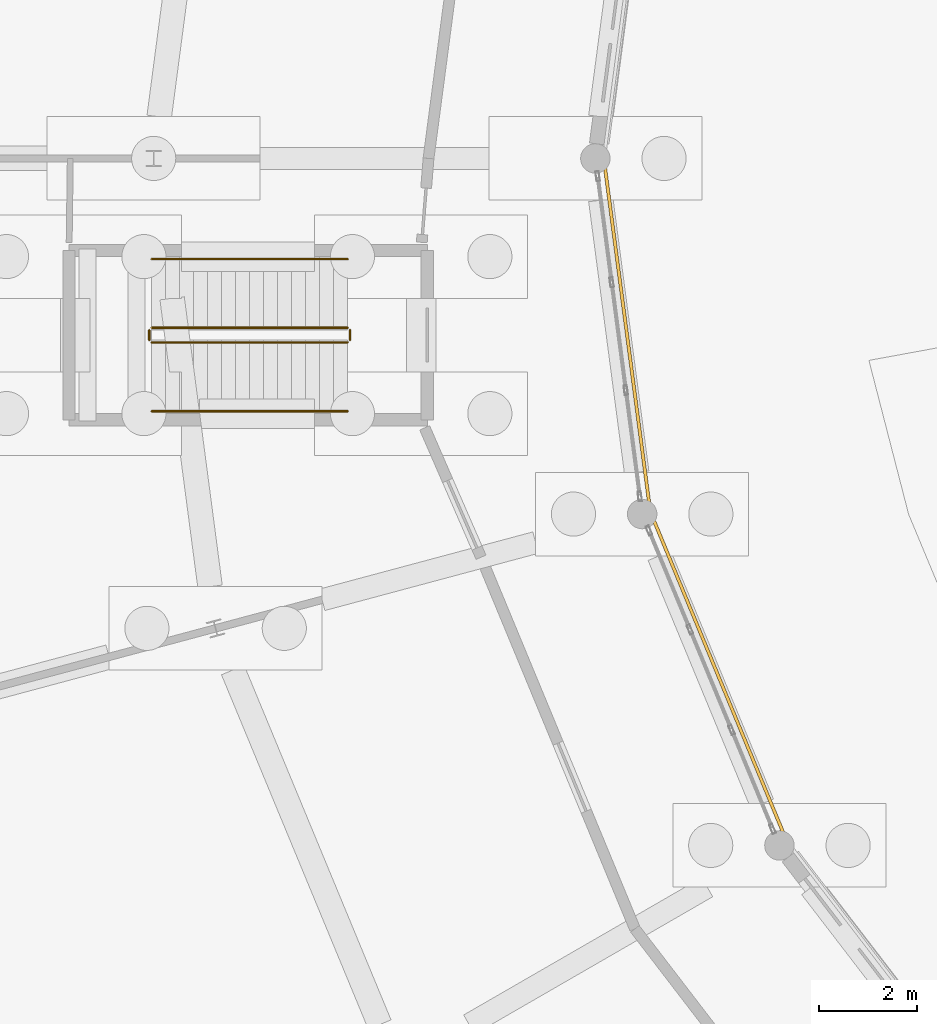
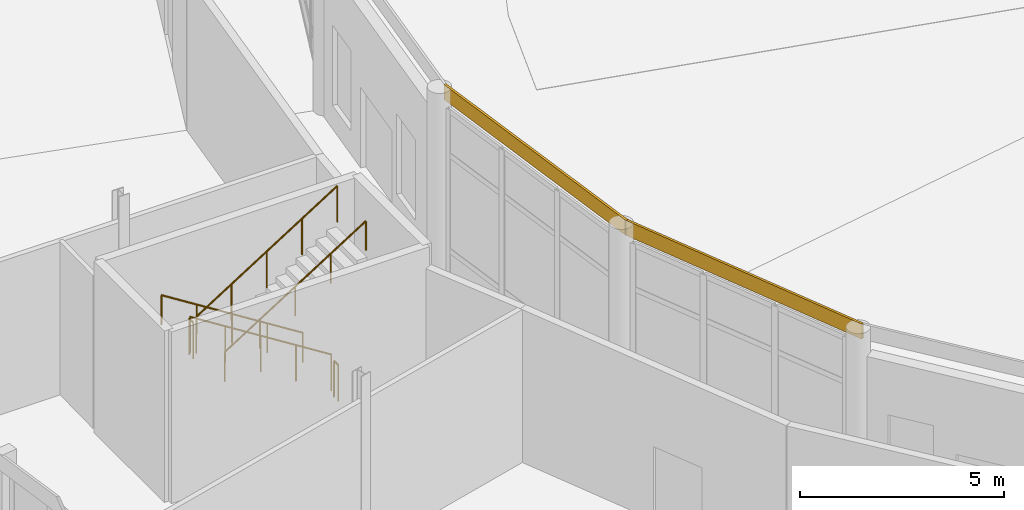
# One storey, part 128 of 137: 6 railings, 2 coverings.
"""IFC4 building model written with IfcOpenShell, lengths in metres."""

from ifc_helpers import new_model, si_unit, direction, frame, origin, origin_2d, place, context, subcontext, project, spatial, rectangle, circle, extrude, material, layer, layer_set, type_object, element, save


model = new_model("IFC4")

# Units and contexts
model_context = context("Model", 3, precision=1e-05, world=origin(), true_north=direction((0.0, 1.0)))
body_context = subcontext(model_context, "Body", "Model", "MODEL_VIEW")
ifc_project = project(units=[si_unit("LENGTHUNIT", "METRE"), si_unit("AREAUNIT", "SQUARE_METRE"), si_unit("VOLUMEUNIT", "CUBIC_METRE"), si_unit("PLANEANGLEUNIT", "RADIAN"), si_unit("MASSUNIT", "GRAM", prefix="KILO")], contexts=[model_context])

# Site, building, storey
site_placement = place(None, origin())
site = spatial("IfcSite", under=ifc_project, at=site_placement, CompositionType="ELEMENT")
building_placement = place(site_placement, origin())
building = spatial("IfcBuilding", under=site, at=building_placement, Name="Vondelvale Polytechnic", CompositionType="ELEMENT")
storey_placement = place(building_placement, origin())
storey = spatial("IfcBuildingStorey", under=building, at=storey_placement, Name="L00", CompositionType="ELEMENT", Elevation=0.0)

# Coverings
ifc_material_1 = material(Name="Engineered Tasmanian oak studio and bridge joinery")
ifc_layer_1 = layer(ifc_material_1, 0.06494140625)
ifc_layer_set_1 = layer_set([ifc_layer_1], Name="COV-OAK-SPANDREL")
covering_type = type_object("IfcCoveringType", Name="COV-OAK-SPANDREL", PredefinedType="CLADDING", material=ifc_layer_set_1)
covering_1_placement = place(storey_placement, frame((74.646484375, 68.39892578125, 4.9501953125), z_axis=(0.0, 0.0, 1.0), x_axis=(0.13052619222, -0.991444861374, 0.0)))
element("IfcCovering", 1, at=covering_1_placement, inside=storey, type_object=covering_type, Name="L00 exterior masonry spandrel band", PredefinedType="CLADDING", context=body_context, shape_type="SweptSolid", body=[
    extrude(rectangle(XDim=7.309326171875, YDim=0.06494140625, at=origin_2d()), origin(), (0.0, 0.0, 1.0), 0.449951171875),
])
covering_2_placement = place(storey_placement, frame((76.5107421875, 61.44189453125, 4.9501953125), z_axis=(0.0, 0.0, 1.0), x_axis=(0.382683432365, -0.923879532511, 0.0)))
element("IfcCovering", 2, at=covering_2_placement, inside=storey, type_object=covering_type, Name="L00 exterior masonry spandrel band", PredefinedType="CLADDING", context=body_context, shape_type="SweptSolid", body=[
    extrude(rectangle(XDim=7.3095703125, YDim=0.06494140625, at=origin_2d()), origin(), (0.0, 0.0, 1.0), 0.449951171875),
])

# Railings
ifc_material_2 = material(Name="Brushed architectural stainless and zinc-coated metal")
ifc_layer_2 = layer(ifc_material_2, 0.050048828125)
ifc_layer_set_2 = layer_set([ifc_layer_2], Name="RL-STAIR-GUARD")
railing_type_1 = type_object("IfcRailingType", Name="RL-STAIR-GUARD", PredefinedType="GUARDRAIL", material=ifc_layer_set_2)
railing_1_placement = place(storey_placement, frame((68.949951171875, 68.550048828125, 0.179931640625)))
element("IfcRailing", 3, at=railing_1_placement, inside=storey, type_object=railing_type_1, Name="L00 ST-10 stair guard 1", PredefinedType="GUARDRAIL", context=body_context, shape_type="SweptSolid", body=[
    extrude(circle(Radius=0.02392578125, at=origin_2d()), frame((0.0, 0.0, 1.076171875), z_axis=(-0.845486444383, 0.0, 0.533996884227), x_axis=(0.0, -1.0, 0.0)), (0.0, 0.0, 1.0), 4.71923828125),
    extrude(circle(Radius=0.02099609375, at=origin_2d()), origin(), (0.0, 0.0, 1.0), 1.052001953125),
    extrude(circle(Radius=0.02099609375, at=origin_2d()), frame((-0.99755859375, 0.0, 0.6298828125)), (0.0, 0.0, 1.0), 1.052001953125),
    extrude(circle(Radius=0.02099609375, at=origin_2d()), frame((-1.9951171875, 0.0, 1.260009765625)), (0.0, 0.0, 1.0), 1.052001953125),
    extrude(circle(Radius=0.02099609375, at=origin_2d()), frame((-2.992431640625, 0.0, 1.89013671875)), (0.0, 0.0, 1.0), 1.052001953125),
    extrude(circle(Radius=0.02099609375, at=origin_2d()), frame((-3.989990234375, 0.0, 2.52001953125)), (0.0, 0.0, 1.0), 1.052001953125),
])
railing_2_placement = place(storey_placement, frame((64.909912109375, 68.5, 2.699951171875)))
element("IfcRailing", 4, at=railing_2_placement, inside=storey, type_object=railing_type_1, Name="L00 ST-10 stair guard 2", PredefinedType="GUARDRAIL", context=body_context, shape_type="SweptSolid", body=[
    extrude(circle(Radius=0.02392578125, at=origin_2d()), frame((0.0, 0.0, 1.076171875), z_axis=(0.0, -1.0, 0.0), x_axis=(1.0, 0.0, 0.0)), (0.0, 0.0, 1.0), 0.199951171875),
    extrude(circle(Radius=0.02099609375, at=origin_2d()), origin(), (0.0, 0.0, 1.0), 1.052001953125),
    extrude(circle(Radius=0.02099609375, at=origin_2d()), frame((0.0, -0.199951171875, 0.0)), (0.0, 0.0, 1.0), 1.052001953125),
])
railing_3_placement = place(storey_placement, frame((64.9599609375, 68.25, 2.8798828125)))
element("IfcRailing", 5, at=railing_3_placement, inside=storey, type_object=railing_type_1, Name="L00 ST-10 stair guard 3", PredefinedType="GUARDRAIL", context=body_context, shape_type="SweptSolid", body=[
    extrude(circle(Radius=0.02392578125, at=origin_2d()), frame((0.0, 0.0, 1.076171875), z_axis=(0.845486444383, 0.0, 0.533996884227), x_axis=(0.0, 1.0, 0.0)), (0.0, 0.0, 1.0), 4.71923828125),
    extrude(circle(Radius=0.02099609375, at=origin_2d()), origin(), (0.0, 0.0, 1.0), 1.052001953125),
    extrude(circle(Radius=0.02099609375, at=origin_2d()), frame((0.99755859375, 0.0, 0.6298828125)), (0.0, 0.0, 1.0), 1.052001953125),
    extrude(circle(Radius=0.02099609375, at=origin_2d()), frame((1.9951171875, 0.0, 1.260009765625)), (0.0, 0.0, 1.0), 1.052001953125),
    extrude(circle(Radius=0.02099609375, at=origin_2d()), frame((2.992431640625, 0.0, 1.89013671875)), (0.0, 0.0, 1.0), 1.052001953125),
    extrude(circle(Radius=0.02099609375, at=origin_2d()), frame((3.989990234375, 0.0, 2.52001953125)), (0.0, 0.0, 1.0), 1.052001953125),
])
railing_4_placement = place(storey_placement, frame((69.0, 68.5, 0.0)))
element("IfcRailing", 6, at=railing_4_placement, inside=storey, type_object=railing_type_1, Name="L00 ST-10 stair guard 4", PredefinedType="GUARDRAIL", context=body_context, shape_type="SweptSolid", body=[
    extrude(circle(Radius=0.02392578125, at=origin_2d()), frame((0.0, 0.0, 1.076171875), z_axis=(0.0, -1.0, 0.0), x_axis=(1.0, 0.0, 0.0)), (0.0, 0.0, 1.0), 0.199951171875),
    extrude(circle(Radius=0.02099609375, at=origin_2d()), origin(), (0.0, 0.0, 1.0), 1.052001953125),
    extrude(circle(Radius=0.02099609375, at=origin_2d()), frame((0.0, -0.199951171875, 0.0)), (0.0, 0.0, 1.0), 1.052001953125),
])
ifc_layer_3 = layer(ifc_material_2, 0.048095703125)
ifc_layer_set_3 = layer_set([ifc_layer_3], Name="RL-STAIR-HANDRAIL")
railing_type_2 = type_object("IfcRailingType", Name="RL-STAIR-HANDRAIL", PredefinedType="HANDRAIL", material=ifc_layer_set_3)
railing_5_placement = place(storey_placement, frame((68.949951171875, 69.949951171875, 0.179931640625)))
element("IfcRailing", 7, at=railing_5_placement, inside=storey, type_object=railing_type_2, Name="L00 ST-10 stair handrail 1", PredefinedType="HANDRAIL", context=body_context, shape_type="SweptSolid", body=[
    extrude(circle(Radius=0.02392578125, at=origin_2d()), frame((0.0, 0.0, 0.8759765625), z_axis=(-0.845486444383, 0.0, 0.533996884227), x_axis=(0.0, -1.0, 0.0)), (0.0, 0.0, 1.0), 4.71923828125),
    extrude(circle(Radius=0.02099609375, at=origin_2d()), origin(), (0.0, 0.0, 1.0), 0.851806640625),
    extrude(circle(Radius=0.02099609375, at=origin_2d()), frame((-0.99755859375, 0.0, 0.6298828125)), (0.0, 0.0, 1.0), 0.851806640625),
    extrude(circle(Radius=0.02099609375, at=origin_2d()), frame((-1.9951171875, 0.0, 1.260009765625)), (0.0, 0.0, 1.0), 0.851806640625),
    extrude(circle(Radius=0.02099609375, at=origin_2d()), frame((-2.992431640625, 0.0, 1.89013671875)), (0.0, 0.0, 1.0), 0.851806640625),
    extrude(circle(Radius=0.02099609375, at=origin_2d()), frame((-3.989990234375, 0.0, 2.52001953125)), (0.0, 0.0, 1.0), 0.851806640625),
])
railing_6_placement = place(storey_placement, frame((64.9599609375, 66.85009765625, 2.8798828125)))
element("IfcRailing", 8, at=railing_6_placement, inside=storey, type_object=railing_type_2, Name="L00 ST-10 stair handrail 2", PredefinedType="HANDRAIL", context=body_context, shape_type="SweptSolid", body=[
    extrude(circle(Radius=0.02392578125, at=origin_2d()), frame((0.0, 0.0, 0.8759765625), z_axis=(0.845486444383, 0.0, 0.533996884227), x_axis=(0.0, 1.0, 0.0)), (0.0, 0.0, 1.0), 4.71923828125),
    extrude(circle(Radius=0.02099609375, at=origin_2d()), origin(), (0.0, 0.0, 1.0), 0.851806640625),
    extrude(circle(Radius=0.02099609375, at=origin_2d()), frame((0.99755859375, 0.0, 0.6298828125)), (0.0, 0.0, 1.0), 0.851806640625),
    extrude(circle(Radius=0.02099609375, at=origin_2d()), frame((1.9951171875, 0.0, 1.260009765625)), (0.0, 0.0, 1.0), 0.851806640625),
    extrude(circle(Radius=0.02099609375, at=origin_2d()), frame((2.992431640625, 0.0, 1.89013671875)), (0.0, 0.0, 1.0), 0.851806640625),
    extrude(circle(Radius=0.02099609375, at=origin_2d()), frame((3.989990234375, 0.0, 2.52001953125)), (0.0, 0.0, 1.0), 0.851806640625),
])

save(model, "model.ifc")
